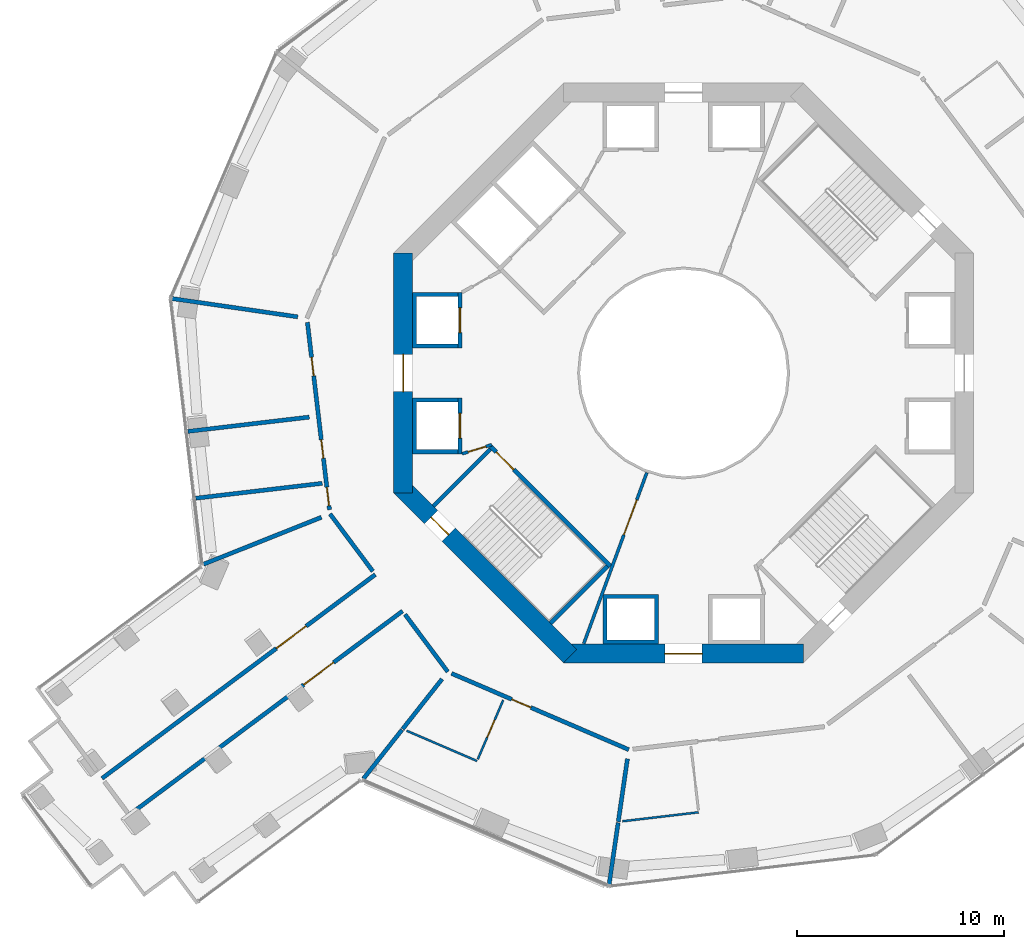
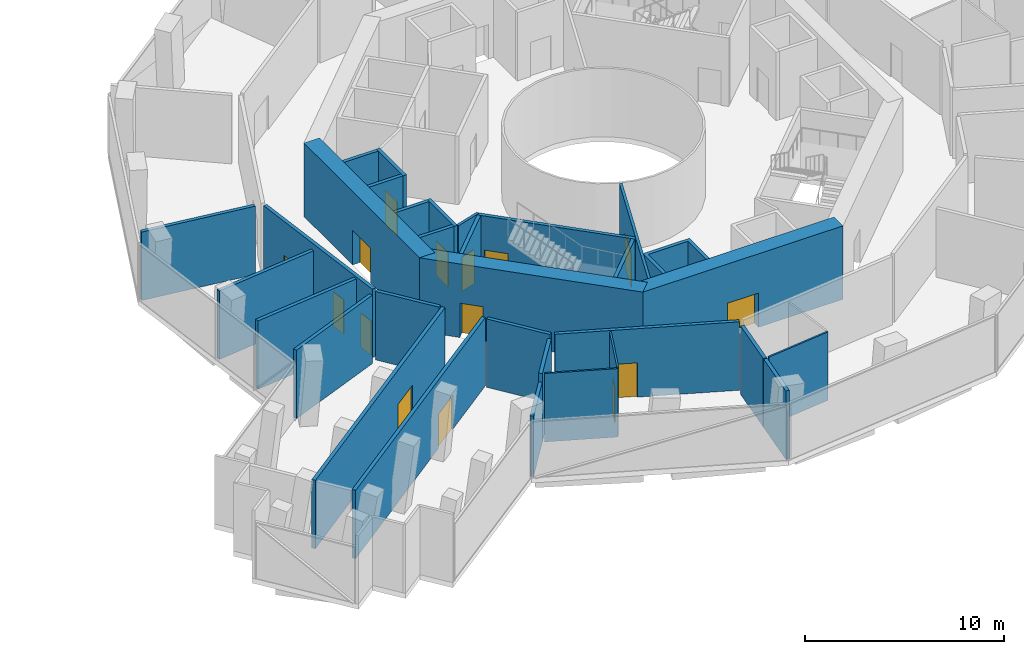
# One storey, part 11 of 17: 30 walls, 15 doors, 15 openings.
"""IFC4 building model written with IfcOpenShell, lengths in metres."""

from ifc_helpers import new_model, si_unit, direction, frame, frame_2d, origin, place, context, subcontext, project, spatial, polyline, rectangle, outline, extrude, material, layer, layer_set, type_object, element, fill, save


model = new_model("IFC4")

# Units and contexts
model_context = context("Model", 3, precision=1e-05, world=origin(), true_north=direction((0.0, 1.0)))
body_context = subcontext(model_context, "Body", "Model", "MODEL_VIEW")
ifc_project = project(units=[si_unit("LENGTHUNIT", "METRE"), si_unit("AREAUNIT", "SQUARE_METRE"), si_unit("VOLUMEUNIT", "CUBIC_METRE"), si_unit("PLANEANGLEUNIT", "RADIAN"), si_unit("MASSUNIT", "GRAM", prefix="KILO")], contexts=[model_context])

# Site, building, storey
site_placement = place(None, origin())
site = spatial("IfcSite", under=ifc_project, at=site_placement, CompositionType="ELEMENT")
building_placement = place(site_placement, origin())
building = spatial("IfcBuilding", under=site, at=building_placement, Name="Verdalira Terraces Hotel", CompositionType="ELEMENT")
storey_placement = place(building_placement, frame((0.0, 0.0, 60.0)))
storey = spatial("IfcBuildingStorey", under=building, at=storey_placement, Name="L13", CompositionType="ELEMENT", Elevation=60.0)

# Wall
ifc_material_1 = material(Name="Moisture-resistant gypsum board partition")
ifc_layer_1 = layer(ifc_material_1, 0.10009765625)
ifc_layer_set_1 = layer_set([ifc_layer_1], Name="Bathroom partition 100 mm")
wall_type_1 = type_object("IfcWallType", Name="Bathroom partition 100 mm", PredefinedType="PARTITIONING", material=ifc_layer_set_1)
wall_1_placement = place(storey_placement, frame((-9.977539, -18.740723, 0.0), z_axis=(0.0, 0.0, 1.0), x_axis=(-0.918584967, 0.395223555, 0.0)))
element("IfcWall", 1, at=wall_1_placement, inside=storey, type_object=wall_type_1, Name="Bathroom partition", PredefinedType="PARTITIONING", context=body_context, shape_type="SweptSolid", body=[
    extrude(rectangle(XDim=3.703857, YDim=0.100098, at=frame_2d((1.852051, 0.0))), origin(), (0.0, 0.0, 1.0), 4.189941),
])

# Wall, opening, door
wall_2_placement = place(storey_placement, frame((-9.937988, -18.648926, 0.0), z_axis=(0.0, 0.0, 1.0), x_axis=(0.395192579, 0.918598294, 0.0)))
wall_2 = element("IfcWall", 2, at=wall_2_placement, inside=storey, type_object=wall_type_1, Name="Bathroom partition", PredefinedType="PARTITIONING", context=body_context, shape_type="SweptSolid", body=[
    extrude(rectangle(XDim=3.100098, YDim=0.100098, at=frame_2d((1.550049, 0.0))), origin(), (0.0, 0.0, 1.0), 4.189941),
])
opening_1_placement = place(wall_2_placement, frame((1.149902, 0.0, 0.0)))
opening_1 = element("IfcOpeningElement", 3, at=opening_1_placement, cuts=wall_2, Name="Opening L13-112", PredefinedType="OPENING", context=body_context, shape_type="SweptSolid", body=[
    extrude(rectangle(XDim=0.899902, YDim=2.100098, at=frame_2d((0.449951, 1.050049))), frame((0.0, 0.060059, 0.0), z_axis=(0.0, -1.0, 0.0), x_axis=(1.0, 0.0, 0.0)), (0.0, 0.0, 1.0), 0.120117),
])
ifc_material_2 = material(Name="Timber door", Category="wood")
door_type_1 = type_object("IfcDoorType", Name="Bathroom door 900 x 2100", OperationType="NOTDEFINED", PredefinedType="DOOR", material=ifc_material_2)
door_1_placement = place(opening_1_placement, origin())
door_1 = element("IfcDoor", 4, at=door_1_placement, inside=storey, type_object=door_type_1, Name="Bathroom door 1309", OperationType="SINGLE_SWING_LEFT", OverallHeight=2.10009765625, OverallWidth=0.89990234375, PredefinedType="DOOR", context=body_context, shape_type="SweptSolid", body=[
    extrude(rectangle(XDim=0.899902, YDim=2.100098, at=frame_2d((0.449951, 1.050049))), frame((0.0, 0.024902, 0.0), z_axis=(0.0, -1.0, 0.0), x_axis=(1.0, 0.0, 0.0)), (0.0, 0.0, 1.0), 0.050049),
])
fill(opening_1, door_1)

# Walls
wall_3_placement = place(storey_placement, frame((0.729492, -21.21875, 0.0), z_axis=(0.0, 0.0, 1.0), x_axis=(-0.993132145, -0.116998046, 0.0)))
element("IfcWall", 5, at=wall_3_placement, inside=storey, type_object=wall_type_1, Name="Bathroom partition", PredefinedType="PARTITIONING", context=body_context, shape_type="SweptSolid", body=[
    extrude(rectangle(XDim=3.703857, YDim=0.100098, at=frame_2d((1.852051, 0.0))), origin(), (0.0, 0.0, 1.0), 4.189941),
])
ifc_material_3 = material(Name="Concrete C50", Category="concrete")
ifc_layer_2 = layer(ifc_material_3, 0.199951171875)
ifc_layer_set_2 = layer_set([ifc_layer_2], Name="Core RC wall 200 C50")
wall_type_2 = type_object("IfcWallType", Name="Core RC wall 200 C50", PredefinedType="SOLIDWALL", material=ifc_layer_set_2)
wall_4_placement = place(storey_placement, origin())
element("IfcWall", 6, at=wall_4_placement, inside=storey, type_object=wall_type_2, Name="L13 shaft wall W1", PredefinedType="SOLIDWALL", context=body_context, shape_type="SweptSolid", body=[
    extrude(outline(polyline([(-13.100098, 3.899902), (-10.899902, 3.899902), (-10.899902, 3.699951), (-12.899902, 3.699951), (-12.899902, 1.399902), (-10.899902, 1.399902), (-10.899902, 1.199951), (-13.100098, 1.199951), (-13.100098, 3.899902)])), origin(), (0.0, 0.0, 1.0), 4.189941),
])

# Wall, opening, door
wall_5_placement = place(storey_placement, frame((-10.800049, 1.199951, 0.0), z_axis=(0.0, 0.0, 1.0), x_axis=(0.0, 1.0, 0.0)))
wall_5 = element("IfcWall", 7, at=wall_5_placement, inside=storey, type_object=wall_type_2, Name="L13 shaft front wall W1", PredefinedType="SOLIDWALL", context=body_context, shape_type="SweptSolid", body=[
    extrude(rectangle(XDim=2.699951, YDim=0.199951, at=frame_2d((1.350098, 0.0))), origin(), (0.0, 0.0, 1.0), 4.189941),
])
opening_2_placement = place(wall_5_placement, frame((0.75, 0.0, 0.0)))
opening_2 = element("IfcOpeningElement", 8, at=opening_2_placement, cuts=wall_5, Name="Opening LD-L13-805", PredefinedType="OPENING", context=body_context, shape_type="SweptSolid", body=[
    extrude(rectangle(XDim=1.199951, YDim=2.100098, at=frame_2d((0.600098, 1.050049))), frame((0.0, 0.109863, 0.0), z_axis=(0.0, -1.0, 0.0), x_axis=(1.0, 0.0, 0.0)), (0.0, 0.0, 1.0), 0.219971),
])
ifc_material_4 = material(Name="Stainless steel", Category="steel")
door_type_2 = type_object("IfcDoorType", Name="Landing door 1200 x 2100", OperationType="NOTDEFINED", PredefinedType="DOOR", material=ifc_material_4)
door_2_placement = place(opening_2_placement, origin())
door_2 = element("IfcDoor", 9, at=door_2_placement, inside=storey, type_object=door_type_2, Name="Lift landing door LR5 L13", OperationType="DOUBLE_DOOR_SLIDING", OverallHeight=2.10009765625, OverallWidth=1.199951171875, PredefinedType="DOOR", context=body_context, shape_type="SweptSolid", body=[
    extrude(rectangle(XDim=1.199951, YDim=2.100098, at=frame_2d((0.600098, 1.050049))), frame((0.0, 0.024902, 0.0), z_axis=(0.0, -1.0, 0.0), x_axis=(1.0, 0.0, 0.0)), (0.0, 0.0, 1.0), 0.050049),
])
fill(opening_2, door_2)

# Wall
wall_6_placement = place(storey_placement, origin())
element("IfcWall", 10, at=wall_6_placement, inside=storey, type_object=wall_type_2, Name="L13 shaft wall W2", PredefinedType="SOLIDWALL", context=body_context, shape_type="SweptSolid", body=[
    extrude(outline(polyline([(-13.100098, -3.899902), (-13.100098, -1.199951), (-10.899902, -1.199951), (-10.899902, -1.399902), (-12.899902, -1.399902), (-12.899902, -3.699951), (-10.899902, -3.699951), (-10.899902, -3.899902), (-13.100098, -3.899902)])), origin(), (0.0, 0.0, 1.0), 4.189941),
])

# Wall, opening, door
wall_7_placement = place(storey_placement, frame((-10.800049, -1.199951, 0.0), z_axis=(0.0, 0.0, 1.0), x_axis=(0.0, -1.0, 0.0)))
wall_7 = element("IfcWall", 11, at=wall_7_placement, inside=storey, type_object=wall_type_2, Name="L13 shaft front wall W2", PredefinedType="SOLIDWALL", context=body_context, shape_type="SweptSolid", body=[
    extrude(rectangle(XDim=2.699951, YDim=0.199951, at=frame_2d((1.350098, 0.0))), origin(), (0.0, 0.0, 1.0), 4.189941),
])
opening_3_placement = place(wall_7_placement, frame((0.75, 0.0, 0.0)))
opening_3 = element("IfcOpeningElement", 12, at=opening_3_placement, cuts=wall_7, Name="Opening LD-L13-806", PredefinedType="OPENING", context=body_context, shape_type="SweptSolid", body=[
    extrude(rectangle(XDim=1.199951, YDim=2.100098, at=frame_2d((0.600098, 1.050049))), frame((0.0, 0.109863, 0.0), z_axis=(0.0, -1.0, 0.0), x_axis=(1.0, 0.0, 0.0)), (0.0, 0.0, 1.0), 0.219971),
])
door_3_placement = place(opening_3_placement, origin())
door_3 = element("IfcDoor", 13, at=door_3_placement, inside=storey, type_object=door_type_2, Name="Lift landing door LR6 L13", OperationType="DOUBLE_DOOR_SLIDING", OverallHeight=2.10009765625, OverallWidth=1.199951171875, PredefinedType="DOOR", context=body_context, shape_type="SweptSolid", body=[
    extrude(rectangle(XDim=1.199951, YDim=2.100098, at=frame_2d((0.600098, 1.050049))), frame((0.0, 0.024902, 0.0), z_axis=(0.0, -1.0, 0.0), x_axis=(1.0, 0.0, 0.0)), (0.0, 0.0, 1.0), 0.050049),
])
fill(opening_3, door_3)

# Wall
wall_8_placement = place(storey_placement, origin())
element("IfcWall", 14, at=wall_8_placement, inside=storey, type_object=wall_type_2, Name="L13 shaft wall S1", PredefinedType="SOLIDWALL", context=body_context, shape_type="SweptSolid", body=[
    extrude(outline(polyline([(-1.199951, -13.100098), (-3.899902, -13.100098), (-3.899902, -10.699951), (-1.199951, -10.699951), (-1.199951, -13.100098)]), holes=[polyline([(-3.699951, -10.899902), (-3.699951, -12.899902), (-1.399902, -12.899902), (-1.399902, -10.899902), (-3.699951, -10.899902)])]), origin(), (0.0, 0.0, 1.0), 4.189941),
])

# Wall, opening, door
wall_9_placement = place(storey_placement, frame((-3.5354, -9.33374, 0.0), z_axis=(0.0, 0.0, 1.0), x_axis=(-0.707106781, 0.707106781, 0.0)))
wall_9 = element("IfcWall", 15, at=wall_9_placement, inside=storey, type_object=wall_type_2, Name="L13 stair ST2 front wall", PredefinedType="SOLIDWALL", context=body_context, shape_type="SweptSolid", body=[
    extrude(rectangle(XDim=8.200195, YDim=0.199951, at=frame_2d((4.100098, 0.0))), origin(), (0.0, 0.0, 1.0), 4.189941),
])
opening_4_placement = place(wall_9_placement, frame((6.600098, 0.0, 0.0)))
opening_4 = element("IfcOpeningElement", 16, at=opening_4_placement, cuts=wall_9, Name="Opening L13-810", PredefinedType="OPENING", context=body_context, shape_type="SweptSolid", body=[
    extrude(rectangle(XDim=1.199951, YDim=2.100098, at=frame_2d((0.600098, 1.050049))), frame((0.0, 0.109863, 0.0), z_axis=(0.0, -1.0, 0.0), x_axis=(1.0, 0.0, 0.0)), (0.0, 0.0, 1.0), 0.219971),
])
ifc_material_5 = material(Name="Steel fire door", Category="steel")
door_type_3 = type_object("IfcDoorType", Name="Stair door 1200 x 2100", OperationType="NOTDEFINED", PredefinedType="DOOR", material=ifc_material_5)
door_4_placement = place(opening_4_placement, origin())
door_4 = element("IfcDoor", 17, at=door_4_placement, inside=storey, type_object=door_type_3, Name="Stair door ST2 L13", OperationType="SINGLE_SWING_RIGHT", OverallHeight=2.10009765625, OverallWidth=1.199951171875, PredefinedType="DOOR", context=body_context, shape_type="SweptSolid", body=[
    extrude(rectangle(XDim=1.199951, YDim=2.100098, at=frame_2d((0.600098, 1.050049))), frame((0.0, 0.024902, 0.0), z_axis=(0.0, -1.0, 0.0), x_axis=(1.0, 0.0, 0.0)), (0.0, 0.0, 1.0), 0.050049),
])
fill(opening_4, door_4)

# Walls
for number, where, z_axis, x_axis, name in (
    (18, (-9.33374, -3.677002, 0.0), (0.0, 0.0, 1.0), (-0.707106781, -0.707106781, 0.0), "L13 stair ST2 end wall 1"),
    (19, (-3.677002, -9.33374, 0.0), (0.0, 0.0, 1.0), (-0.707106781, -0.707106781, 0.0), "L13 stair ST2 end wall 2"),
):
    element("IfcWall", number, at=place(storey_placement, frame(where, z_axis=z_axis, x_axis=x_axis)), inside=storey, type_object=wall_type_2, Name=name, PredefinedType="SOLIDWALL", context=body_context, shape_type="SweptSolid", body=[
        extrude(rectangle(XDim=3.900146, YDim=0.199951, at=frame_2d((1.950195, 0.0))), origin(), (0.0, 0.0, 1.0), 4.189941),
    ])

# Wall, opening, door
ifc_material_6 = material(Name="Gypsum board partition")
ifc_layer_3 = layer(ifc_material_6, 0.14990234375)
ifc_layer_set_3 = layer_set([ifc_layer_3], Name="Core partition 150 mm")
wall_type_3 = type_object("IfcWallType", Name="Core partition 150 mm", PredefinedType="PARTITIONING", material=ifc_layer_set_3)
wall_10_placement = place(storey_placement, frame((-10.699951, -3.899902, 0.0), z_axis=(0.0, 0.0, 1.0), x_axis=(0.957084567, 0.289808785, 0.0)))
wall_10 = element("IfcWall", 20, at=wall_10_placement, inside=storey, type_object=wall_type_3, Name="Room partition L13", PredefinedType="PARTITIONING", context=body_context, shape_type="SweptSolid", body=[
    extrude(rectangle(XDim=1.501221, YDim=0.149902, at=frame_2d((0.750488, 0.0))), origin(), (0.0, 0.0, 1.0), 4.189941),
])
opening_5_placement = place(wall_10_placement, frame((0.300781, 0.0, 0.0)))
opening_5 = element("IfcOpeningElement", 21, at=opening_5_placement, cuts=wall_10, Name="Opening L13-822", PredefinedType="OPENING", context=body_context, shape_type="SweptSolid", body=[
    extrude(rectangle(XDim=0.899902, YDim=2.100098, at=frame_2d((0.449951, 1.050049))), frame((0.0, 0.084961, 0.0), z_axis=(0.0, -1.0, 0.0), x_axis=(1.0, 0.0, 0.0)), (0.0, 0.0, 1.0), 0.169922),
])
ifc_material_7 = material(Name="Steel fire door", Category="steel")
door_type_4 = type_object("IfcDoorType", Name="Core room door 900 x 2100", OperationType="NOTDEFINED", PredefinedType="DOOR", material=ifc_material_7)
door_5_placement = place(opening_5_placement, origin())
door_5 = element("IfcDoor", 22, at=door_5_placement, inside=storey, type_object=door_type_4, Name="Door L13 room4", OperationType="SINGLE_SWING_LEFT", OverallHeight=2.10009765625, OverallWidth=0.89990234375, PredefinedType="DOOR", context=body_context, shape_type="SweptSolid", body=[
    extrude(rectangle(XDim=0.899902, YDim=2.100098, at=frame_2d((0.449951, 1.050049))), frame((0.0, 0.024902, 0.0), z_axis=(0.0, -1.0, 0.0), x_axis=(1.0, 0.0, 0.0)), (0.0, 0.0, 1.0), 0.050049),
])
fill(opening_5, door_5)

wall_11_placement = place(storey_placement, frame((-1.775635, -4.812988, 0.0), z_axis=(0.0, 0.0, 1.0), x_axis=(-0.346112737, -0.93819293, 0.0)))
wall_11 = element("IfcWall", 23, at=wall_11_placement, inside=storey, type_object=wall_type_3, Name="Gallery fire partition L13", PredefinedType="PARTITIONING", context=body_context, shape_type="SweptSolid", body=[
    extrude(rectangle(XDim=8.803223, YDim=0.149902, at=frame_2d((4.401611, 0.0))), origin(), (0.0, 0.0, 1.0), 4.189941),
])
opening_6_placement = place(wall_11_placement, frame((1.399902, 0.0, 0.0)))
opening_6 = element("IfcOpeningElement", 24, at=opening_6_placement, cuts=wall_11, Name="Opening L13-825", PredefinedType="OPENING", context=body_context, shape_type="SweptSolid", body=[
    extrude(rectangle(XDim=1.800049, YDim=2.100098, at=frame_2d((0.899902, 1.050049))), frame((0.0, 0.084961, 0.0), z_axis=(0.0, -1.0, 0.0), x_axis=(1.0, 0.0, 0.0)), (0.0, 0.0, 1.0), 0.169922),
])
ifc_material_8 = material(Name="Steel fire door", Category="steel")
door_type_5 = type_object("IfcDoorType", Name="Gallery fire door pair 1800 x 2100", OperationType="NOTDEFINED", PredefinedType="DOOR", material=ifc_material_8)
door_6_placement = place(opening_6_placement, origin())
door_6 = element("IfcDoor", 25, at=door_6_placement, inside=storey, type_object=door_type_5, Name="Door L13 split5", OperationType="DOUBLE_DOOR_SINGLE_SWING", OverallHeight=2.10009765625, OverallWidth=1.800048828125, PredefinedType="DOOR", context=body_context, shape_type="SweptSolid", body=[
    extrude(rectangle(XDim=1.800049, YDim=2.100098, at=frame_2d((0.899902, 1.050049))), frame((0.0, 0.024902, 0.0), z_axis=(0.0, -1.0, 0.0), x_axis=(1.0, 0.0, 0.0)), (0.0, 0.0, 1.0), 0.050049),
])
fill(opening_6, door_6)

ifc_material_9 = material(Name="Concrete C70", Category="concrete")
ifc_layer_4 = layer(ifc_material_9, 0.89990234375)
ifc_layer_set_4 = layer_set([ifc_layer_4], Name="Core wall 900 C70")
wall_type_4 = type_object("IfcWallType", Name="Core wall 900 C70", PredefinedType="SHEAR", material=ifc_layer_set_4)
wall_12_placement = place(storey_placement, frame((-13.550049, 5.799072, 0.0), z_axis=(0.0, 0.0, 1.0), x_axis=(0.0, -1.0, 0.0)))
wall_12 = element("IfcWall", 26, at=wall_12_placement, inside=storey, type_object=wall_type_4, Name="Core wall CW-L13-5", PredefinedType="SHEAR", context=body_context, shape_type="SweptSolid", body=[
    extrude(rectangle(XDim=11.598145, YDim=0.899902, at=frame_2d((5.799072, 0.0))), origin(), (0.0, 0.0, 1.0), 4.5),
])
opening_7_placement = place(wall_12_placement, frame((4.898926, 0.0, 0.0)))
opening_7 = element("IfcOpeningElement", 27, at=opening_7_placement, cuts=wall_12, Name="Opening L13-814", PredefinedType="OPENING", context=body_context, shape_type="SweptSolid", body=[
    extrude(rectangle(XDim=1.800049, YDim=2.100098, at=frame_2d((0.899902, 1.050049))), frame((0.0, 0.459961, 0.0), z_axis=(0.0, -1.0, 0.0), x_axis=(1.0, 0.0, 0.0)), (0.0, 0.0, 1.0), 0.919922),
])
ifc_material_10 = material(Name="Steel fire door", Category="steel")
door_type_6 = type_object("IfcDoorType", Name="Core entry door pair 1800 x 2100", OperationType="NOTDEFINED", PredefinedType="DOOR", material=ifc_material_10)
door_7_placement = place(opening_7_placement, origin())
door_7 = element("IfcDoor", 28, at=door_7_placement, inside=storey, type_object=door_type_6, Name="Core entry door L13 4", OperationType="DOUBLE_DOOR_SINGLE_SWING", OverallHeight=2.10009765625, OverallWidth=1.800048828125, PredefinedType="DOOR", context=body_context, shape_type="SweptSolid", body=[
    extrude(rectangle(XDim=1.800049, YDim=2.100098, at=frame_2d((0.899902, 1.050049))), frame((0.0, 0.024902, 0.0), z_axis=(0.0, -1.0, 0.0), x_axis=(1.0, 0.0, 0.0)), (0.0, 0.0, 1.0), 0.050049),
])
fill(opening_7, door_7)

wall_13_placement = place(storey_placement, frame((-13.681885, -5.480713, 0.0), z_axis=(0.0, 0.0, 1.0), x_axis=(0.707106781, -0.707106781, 0.0)))
wall_13 = element("IfcWall", 29, at=wall_13_placement, inside=storey, type_object=wall_type_4, Name="Core wall CW-L13-6", PredefinedType="SHEAR", context=body_context, shape_type="SweptSolid", body=[
    extrude(rectangle(XDim=11.598145, YDim=0.899902, at=frame_2d((5.799072, 0.0))), origin(), (0.0, 0.0, 1.0), 4.5),
])
opening_8_placement = place(wall_13_placement, frame((2.099121, 0.0, 0.0)))
opening_8 = element("IfcOpeningElement", 30, at=opening_8_placement, cuts=wall_13, Name="Opening L13-817", PredefinedType="OPENING", context=body_context, shape_type="SweptSolid", body=[
    extrude(rectangle(XDim=1.199951, YDim=2.100098, at=frame_2d((0.600098, 1.050049))), frame((0.0, 0.459961, 0.0), z_axis=(0.0, -1.0, 0.0), x_axis=(1.0, 0.0, 0.0)), (0.0, 0.0, 1.0), 0.919922),
])
door_8_placement = place(opening_8_placement, origin())
door_8 = element("IfcDoor", 31, at=door_8_placement, inside=storey, type_object=door_type_3, Name="Stair exit door ST2 L13", OperationType="SINGLE_SWING_LEFT", OverallHeight=2.10009765625, OverallWidth=1.199951171875, PredefinedType="DOOR", context=body_context, shape_type="SweptSolid", body=[
    extrude(rectangle(XDim=1.199951, YDim=2.100098, at=frame_2d((0.600098, 1.050049))), frame((0.0, 0.024902, 0.0), z_axis=(0.0, -1.0, 0.0), x_axis=(1.0, 0.0, 0.0)), (0.0, 0.0, 1.0), 0.050049),
])
fill(opening_8, door_8)

wall_14_placement = place(storey_placement, frame((-5.799072, -13.550049, 0.0), z_axis=(0.0, 0.0, 1.0), x_axis=(1.0, 0.0, 0.0)))
wall_14 = element("IfcWall", 32, at=wall_14_placement, inside=storey, type_object=wall_type_4, Name="Core wall CW-L13-7", PredefinedType="SHEAR", context=body_context, shape_type="SweptSolid", body=[
    extrude(rectangle(XDim=11.598145, YDim=0.899902, at=frame_2d((5.799072, 0.0))), origin(), (0.0, 0.0, 1.0), 4.5),
])
opening_9_placement = place(wall_14_placement, frame((4.898926, 0.0, 0.0)))
opening_9 = element("IfcOpeningElement", 33, at=opening_9_placement, cuts=wall_14, Name="Opening L13-815", PredefinedType="OPENING", context=body_context, shape_type="SweptSolid", body=[
    extrude(rectangle(XDim=1.800049, YDim=2.100098, at=frame_2d((0.899902, 1.050049))), frame((0.0, 0.459961, 0.0), z_axis=(0.0, -1.0, 0.0), x_axis=(1.0, 0.0, 0.0)), (0.0, 0.0, 1.0), 0.919922),
])
door_9_placement = place(opening_9_placement, origin())
door_9 = element("IfcDoor", 34, at=door_9_placement, inside=storey, type_object=door_type_6, Name="Core entry door L13 6", OperationType="DOUBLE_DOOR_SINGLE_SWING", OverallHeight=2.10009765625, OverallWidth=1.800048828125, PredefinedType="DOOR", context=body_context, shape_type="SweptSolid", body=[
    extrude(rectangle(XDim=1.800049, YDim=2.100098, at=frame_2d((0.899902, 1.050049))), frame((0.0, 0.024902, 0.0), z_axis=(0.0, -1.0, 0.0), x_axis=(1.0, 0.0, 0.0)), (0.0, 0.0, 1.0), 0.050049),
])
fill(opening_9, door_9)

# Walls
ifc_material_11 = material(Name="Fire-rated gypsum board wall")
ifc_layer_5 = layer(ifc_material_11, 0.199951171875)
ifc_layer_set_5 = layer_set([ifc_layer_5], Name="Demising wall 200 mm")
wall_type_5 = type_object("IfcWallType", Name="Demising wall 200 mm", PredefinedType="SOLIDWALL", material=ifc_layer_set_5)
wall_15_placement = place(storey_placement, frame((-11.666504, -14.782959, 0.0), z_axis=(0.0, 0.0, 1.0), x_axis=(-0.619510404, -0.784988446, 0.0)))
element("IfcWall", 35, at=wall_15_placement, inside=storey, type_object=wall_type_5, Name="Demising wall", PredefinedType="SOLIDWALL", context=body_context, shape_type="SweptSolid", body=[
    extrude(rectangle(XDim=3.074707, YDim=0.199951, at=frame_2d((1.537354, 0.0))), origin(), (0.0, 0.0, 1.0), 4.189941),
])
wall_16_placement = place(storey_placement, frame((-3.161377, -21.723877, 0.0), z_axis=(0.0, 0.0, 1.0), x_axis=(-0.144065429, -0.989568164, 0.0)))
element("IfcWall", 36, at=wall_16_placement, inside=storey, type_object=wall_type_5, Name="Demising wall", PredefinedType="SOLIDWALL", context=body_context, shape_type="SweptSolid", body=[
    extrude(rectangle(XDim=3.011475, YDim=0.199951, at=frame_2d((1.505859, 0.0))), origin(), (0.0, 0.0, 1.0), 4.189941),
])
wall_17_placement = place(storey_placement, frame((-2.711914, -18.635742, 0.0), z_axis=(0.0, 0.0, 1.0), x_axis=(-0.144033152, -0.989572863, 0.0)))
element("IfcWall", 37, at=wall_17_placement, inside=storey, type_object=wall_type_5, Name="Demising wall", PredefinedType="SOLIDWALL", context=body_context, shape_type="SweptSolid", body=[
    extrude(rectangle(XDim=3.074707, YDim=0.199951, at=frame_2d((1.537354, 0.0))), origin(), (0.0, 0.0, 1.0), 4.189941),
])
ifc_material_12 = material(Name="Fire-rated gypsum board wall")
ifc_layer_6 = layer(ifc_material_12, 0.199951171875)
ifc_layer_set_6 = layer_set([ifc_layer_6], Name="Demising wall 200 mm to beam soffit")
wall_type_6 = type_object("IfcWallType", Name="Demising wall 200 mm to beam soffit", PredefinedType="SOLIDWALL", material=ifc_layer_set_6)
wall_18_placement = place(storey_placement, frame((-13.599854, -17.232666, 0.0), z_axis=(0.0, 0.0, 1.0), x_axis=(-0.619470785, -0.785019711, 0.0)))
element("IfcWall", 38, at=wall_18_placement, inside=storey, type_object=wall_type_6, Name="Demising wall", PredefinedType="SOLIDWALL", context=body_context, shape_type="SweptSolid", body=[
    extrude(rectangle(XDim=3.011475, YDim=0.199951, at=frame_2d((1.505859, 0.0))), origin(), (0.0, 0.0, 1.0), 3.689941),
])

# Wall, opening, door
ifc_material_13 = material(Name="Fire-rated gypsum board wall")
ifc_layer_7 = layer(ifc_material_13, 0.199951171875)
ifc_layer_set_7 = layer_set([ifc_layer_7], Name="Guest corridor wall 200 mm")
wall_type_7 = type_object("IfcWallType", Name="Guest corridor wall 200 mm", PredefinedType="SOLIDWALL", material=ifc_layer_set_7)
wall_19_placement = place(storey_placement, frame((-28.09082, -19.581299, 0.0), z_axis=(0.0, 0.0, 1.0), x_axis=(0.801566532, 0.59790559, 0.0)))
wall_19 = element("IfcWall", 39, at=wall_19_placement, inside=storey, type_object=wall_type_7, Name="Guest corridor wall", PredefinedType="SOLIDWALL", context=body_context, shape_type="SweptSolid", body=[
    extrude(rectangle(XDim=16.466064, YDim=0.199951, at=frame_2d((8.23291, 0.0))), origin(), (0.0, 0.0, 1.0), 4.189941),
])
opening_10_placement = place(wall_19_placement, frame((10.5, 0.0, 0.0)))
opening_10 = element("IfcOpeningElement", 40, at=opening_10_placement, cuts=wall_19, Name="Opening L13-109", PredefinedType="OPENING", context=body_context, shape_type="SweptSolid", body=[
    extrude(rectangle(XDim=1.800049, YDim=2.100098, at=frame_2d((0.899902, 1.050049))), frame((0.0, 0.109863, 0.0), z_axis=(0.0, -1.0, 0.0), x_axis=(1.0, 0.0, 0.0)), (0.0, 0.0, 1.0), 0.219971),
])
ifc_material_14 = material(Name="Timber fire door", Category="wood")
door_type_7 = type_object("IfcDoorType", Name="Public room double door 1800 x 2100", OperationType="NOTDEFINED", PredefinedType="DOOR", material=ifc_material_14)
door_10_placement = place(opening_10_placement, origin())
door_10 = element("IfcDoor", 41, at=door_10_placement, inside=storey, type_object=door_type_7, Name="Public room double door 1307", OperationType="DOUBLE_DOOR_SINGLE_SWING", OverallHeight=2.10009765625, OverallWidth=1.800048828125, PredefinedType="DOOR", context=body_context, shape_type="SweptSolid", body=[
    extrude(rectangle(XDim=1.800049, YDim=2.100098, at=frame_2d((0.899902, 1.050049))), frame((0.0, 0.024902, 0.0), z_axis=(0.0, -1.0, 0.0), x_axis=(1.0, 0.0, 0.0)), (0.0, 0.0, 1.0), 0.050049),
])
fill(opening_10, door_10)

wall_20_placement = place(storey_placement, frame((-13.576904, -11.499512, 0.0), z_axis=(0.0, 0.0, 1.0), x_axis=(-0.801564959, -0.597907699, 0.0)))
wall_20 = element("IfcWall", 42, at=wall_20_placement, inside=storey, type_object=wall_type_7, Name="Guest corridor wall", PredefinedType="SOLIDWALL", context=body_context, shape_type="SweptSolid", body=[
    extrude(rectangle(XDim=16.464111, YDim=0.199951, at=frame_2d((8.231934, 0.0))), origin(), (0.0, 0.0, 1.0), 4.189941),
])
opening_11_placement = place(wall_20_placement, frame((4.149902, 0.0, 0.0)))
opening_11 = element("IfcOpeningElement", 43, at=opening_11_placement, cuts=wall_20, Name="Opening L13-110", PredefinedType="OPENING", context=body_context, shape_type="SweptSolid", body=[
    extrude(rectangle(XDim=1.800049, YDim=2.100098, at=frame_2d((0.899902, 1.050049))), frame((0.0, 0.109863, 0.0), z_axis=(0.0, -1.0, 0.0), x_axis=(1.0, 0.0, 0.0)), (0.0, 0.0, 1.0), 0.219971),
])
door_11_placement = place(opening_11_placement, origin())
door_11 = element("IfcDoor", 44, at=door_11_placement, inside=storey, type_object=door_type_7, Name="Public room double door 1308", OperationType="DOUBLE_DOOR_SINGLE_SWING", OverallHeight=2.10009765625, OverallWidth=1.800048828125, PredefinedType="DOOR", context=body_context, shape_type="SweptSolid", body=[
    extrude(rectangle(XDim=1.800049, YDim=2.100098, at=frame_2d((0.899902, 1.050049))), frame((0.0, 0.024902, 0.0), z_axis=(0.0, -1.0, 0.0), x_axis=(1.0, 0.0, 0.0)), (0.0, 0.0, 1.0), 0.050049),
])
fill(opening_11, door_11)

# Wall, openings, doors
wall_21_placement = place(storey_placement, frame((-17.102783, -6.60498, 0.0), z_axis=(0.0, 0.0, 1.0), x_axis=(-0.117027699, 0.993128651, 0.0)))
wall_21 = element("IfcWall", 45, at=wall_21_placement, inside=storey, type_object=wall_type_7, Name="Guest corridor wall", PredefinedType="SOLIDWALL", context=body_context, shape_type="SweptSolid", body=[
    extrude(rectangle(XDim=9.116699, YDim=0.199951, at=frame_2d((4.55835, 0.0))), origin(), (0.0, 0.0, 1.0), 4.189941),
])
opening_12_placement = place(wall_21_placement, frame((6.508301, 0.0, 0.0)))
opening_12 = element("IfcOpeningElement", 46, at=opening_12_placement, cuts=wall_21, Name="Opening L13-108", PredefinedType="OPENING", context=body_context, shape_type="SweptSolid", body=[
    extrude(rectangle(XDim=0.899902, YDim=2.100098, at=frame_2d((0.449951, 1.050049))), frame((0.0, 0.109863, 0.0), z_axis=(0.0, -1.0, 0.0), x_axis=(1.0, 0.0, 0.0)), (0.0, 0.0, 1.0), 0.219971),
])
opening_13_placement = place(wall_21_placement, frame((2.508301, 0.0, 0.0)))
opening_13 = element("IfcOpeningElement", 47, at=opening_13_placement, cuts=wall_21, Name="Opening L13-124", PredefinedType="OPENING", context=body_context, shape_type="SweptSolid", body=[
    extrude(rectangle(XDim=0.899902, YDim=2.100098, at=frame_2d((0.449951, 1.050049))), frame((0.0, 0.109863, 0.0), z_axis=(0.0, -1.0, 0.0), x_axis=(1.0, 0.0, 0.0)), (0.0, 0.0, 1.0), 0.219971),
])
opening_14_placement = place(wall_21_placement, frame((0.199951, 0.0, 0.0)))
opening_14 = element("IfcOpeningElement", 48, at=opening_14_placement, cuts=wall_21, Name="Opening L13-125", PredefinedType="OPENING", context=body_context, shape_type="SweptSolid", body=[
    extrude(rectangle(XDim=0.899902, YDim=2.100098, at=frame_2d((0.449951, 1.050049))), frame((0.0, 0.109863, 0.0), z_axis=(0.0, -1.0, 0.0), x_axis=(1.0, 0.0, 0.0)), (0.0, 0.0, 1.0), 0.219971),
])
ifc_material_15 = material(Name="Steel fire door", Category="steel")
door_type_8 = type_object("IfcDoorType", Name="Service room door 900 x 2100", OperationType="NOTDEFINED", PredefinedType="DOOR", material=ifc_material_15)
door_12_placement = place(opening_12_placement, origin())
door_12 = element("IfcDoor", 49, at=door_12_placement, inside=storey, type_object=door_type_8, Name="Service room door 1306", OperationType="SINGLE_SWING_LEFT", OverallHeight=2.10009765625, OverallWidth=0.89990234375, PredefinedType="DOOR", context=body_context, shape_type="SweptSolid", body=[
    extrude(rectangle(XDim=0.899902, YDim=2.100098, at=frame_2d((0.449951, 1.050049))), frame((0.0, 0.024902, 0.0), z_axis=(0.0, -1.0, 0.0), x_axis=(1.0, 0.0, 0.0)), (0.0, 0.0, 1.0), 0.050049),
])
fill(opening_12, door_12)
ifc_material_16 = material(Name="Timber fire door", Category="wood")
door_type_9 = type_object("IfcDoorType", Name="Toilet door 900 x 2100", OperationType="NOTDEFINED", PredefinedType="DOOR", material=ifc_material_16)
door_13_placement = place(opening_13_placement, origin())
door_13 = element("IfcDoor", 50, at=door_13_placement, inside=storey, type_object=door_type_9, Name="Toilet door 1317", OperationType="SINGLE_SWING_LEFT", OverallHeight=2.10009765625, OverallWidth=0.89990234375, PredefinedType="DOOR", context=body_context, shape_type="SweptSolid", body=[
    extrude(rectangle(XDim=0.899902, YDim=2.100098, at=frame_2d((0.449951, 1.050049))), frame((0.0, 0.024902, 0.0), z_axis=(0.0, -1.0, 0.0), x_axis=(1.0, 0.0, 0.0)), (0.0, 0.0, 1.0), 0.050049),
])
fill(opening_13, door_13)
door_14_placement = place(opening_14_placement, origin())
door_14 = element("IfcDoor", 51, at=door_14_placement, inside=storey, type_object=door_type_9, Name="Toilet door 1318", OperationType="SINGLE_SWING_LEFT", OverallHeight=2.10009765625, OverallWidth=0.89990234375, PredefinedType="DOOR", context=body_context, shape_type="SweptSolid", body=[
    extrude(rectangle(XDim=0.899902, YDim=2.100098, at=frame_2d((0.449951, 1.050049))), frame((0.0, 0.024902, 0.0), z_axis=(0.0, -1.0, 0.0), x_axis=(1.0, 0.0, 0.0)), (0.0, 0.0, 1.0), 0.050049),
])
fill(opening_14, door_14)

# Walls
for number, where, z_axis, x_axis, name in (
    (52, (-17.07959, -6.803711, 0.0), (0.0, 0.0, 1.0), (0.597942284, -0.80153916, 0.0), "Guest corridor wall"),
    (53, (-13.457275, -11.659912, 0.0), (0.0, 0.0, 1.0), (0.597942284, -0.80153916, 0.0), "Guest corridor wall"),
):
    element("IfcWall", number, at=place(storey_placement, frame(where, z_axis=z_axis, x_axis=x_axis)), inside=storey, type_object=wall_type_7, Name=name, PredefinedType="SOLIDWALL", context=body_context, shape_type="SweptSolid", body=[
        extrude(rectangle(XDim=3.458252, YDim=0.199951, at=frame_2d((1.729004, 0.0))), origin(), (0.0, 0.0, 1.0), 4.189941),
    ])

# Wall, opening, door
wall_22_placement = place(storey_placement, frame((-2.647705, -18.193115, 0.0), z_axis=(0.0, 0.0, 1.0), x_axis=(-0.918585672, 0.395221918, 0.0)))
wall_22 = element("IfcWall", 54, at=wall_22_placement, inside=storey, type_object=wall_type_7, Name="Guest corridor wall", PredefinedType="SOLIDWALL", context=body_context, shape_type="SweptSolid", body=[
    extrude(rectangle(XDim=9.31665, YDim=0.199951, at=frame_2d((4.658203, 0.0))), origin(), (0.0, 0.0, 1.0), 4.189941),
])
opening_15_placement = place(wall_22_placement, frame((5.149902, 0.0, 0.0)))
opening_15 = element("IfcOpeningElement", 55, at=opening_15_placement, cuts=wall_22, Name="Opening L13-111", PredefinedType="OPENING", context=body_context, shape_type="SweptSolid", body=[
    extrude(rectangle(XDim=1.0, YDim=2.100098, at=frame_2d((0.5, 1.050049))), frame((0.0, 0.109863, 0.0), z_axis=(0.0, -1.0, 0.0), x_axis=(1.0, 0.0, 0.0)), (0.0, 0.0, 1.0), 0.219971),
])
ifc_material_17 = material(Name="Timber fire door", Category="wood")
door_type_10 = type_object("IfcDoorType", Name="Guest entry door 1000 x 2100", OperationType="NOTDEFINED", PredefinedType="DOOR", material=ifc_material_17)
door_15_placement = place(opening_15_placement, origin())
door_15 = element("IfcDoor", 56, at=door_15_placement, inside=storey, type_object=door_type_10, Name="Guest entry door 1309", OperationType="SINGLE_SWING_LEFT", OverallHeight=2.10009765625, OverallWidth=1.0, PredefinedType="DOOR", context=body_context, shape_type="SweptSolid", body=[
    extrude(rectangle(XDim=1.0, YDim=2.100098, at=frame_2d((0.5, 1.050049))), frame((0.0, 0.024902, 0.0), z_axis=(0.0, -1.0, 0.0), x_axis=(1.0, 0.0, 0.0)), (0.0, 0.0, 1.0), 0.050049),
])
fill(opening_15, door_15)

# Walls
ifc_material_18 = material(Name="Fire-rated gypsum board wall")
ifc_layer_8 = layer(ifc_material_18, 0.199951171875)
ifc_layer_set_8 = layer_set([ifc_layer_8], Name="Service room wall 200 mm")
wall_type_8 = type_object("IfcWallType", Name="Service room wall 200 mm", PredefinedType="SOLIDWALL", material=ifc_layer_set_8)
wall_23_placement = place(storey_placement, frame((-18.635742, 2.711914, 0.0), z_axis=(0.0, 0.0, 1.0), x_axis=(-0.989570967, 0.144046178, 0.0)))
element("IfcWall", 57, at=wall_23_placement, inside=storey, type_object=wall_type_8, Name="Service room wall", PredefinedType="SOLIDWALL", context=body_context, shape_type="SweptSolid", body=[
    extrude(rectangle(XDim=6.13208, YDim=0.199951, at=frame_2d((3.065918, 0.0))), origin(), (0.0, 0.0, 1.0), 4.189941),
])
wall_24_placement = place(storey_placement, frame((-18.080566, -2.130371, 0.0), z_axis=(0.0, 0.0, 1.0), x_axis=(-0.993130544, -0.117011633, 0.0)))
element("IfcWall", 58, at=wall_24_placement, inside=storey, type_object=wall_type_8, Name="Service room wall", PredefinedType="SOLIDWALL", context=body_context, shape_type="SweptSolid", body=[
    extrude(rectangle(XDim=5.902588, YDim=0.199951, at=frame_2d((2.951172, 0.0))), origin(), (0.0, 0.0, 1.0), 4.189941),
])
wall_25_placement = place(storey_placement, frame((-17.45459, -5.329102, 0.0), z_axis=(0.0, 0.0, 1.0), x_axis=(-0.99312891, -0.117025503, 0.0)))
element("IfcWall", 59, at=wall_25_placement, inside=storey, type_object=wall_type_8, Name="Service room wall", PredefinedType="SOLIDWALL", context=body_context, shape_type="SweptSolid", body=[
    extrude(rectangle(XDim=6.150146, YDim=0.199951, at=frame_2d((3.075195, 0.0))), origin(), (0.0, 0.0, 1.0), 4.189941),
])
wall_26_placement = place(storey_placement, frame((-23.19165, -9.238525, 0.0), z_axis=(0.0, 0.0, 1.0), x_axis=(0.929000223, 0.370079161, 0.0)))
element("IfcWall", 60, at=wall_26_placement, inside=storey, type_object=wall_type_8, Name="Service room wall", PredefinedType="SOLIDWALL", context=body_context, shape_type="SweptSolid", body=[
    extrude(rectangle(XDim=6.131836, YDim=0.199951, at=frame_2d((3.065918, 0.0))), origin(), (0.0, 0.0, 1.0), 4.189941),
])

save(model, "model.ifc")
